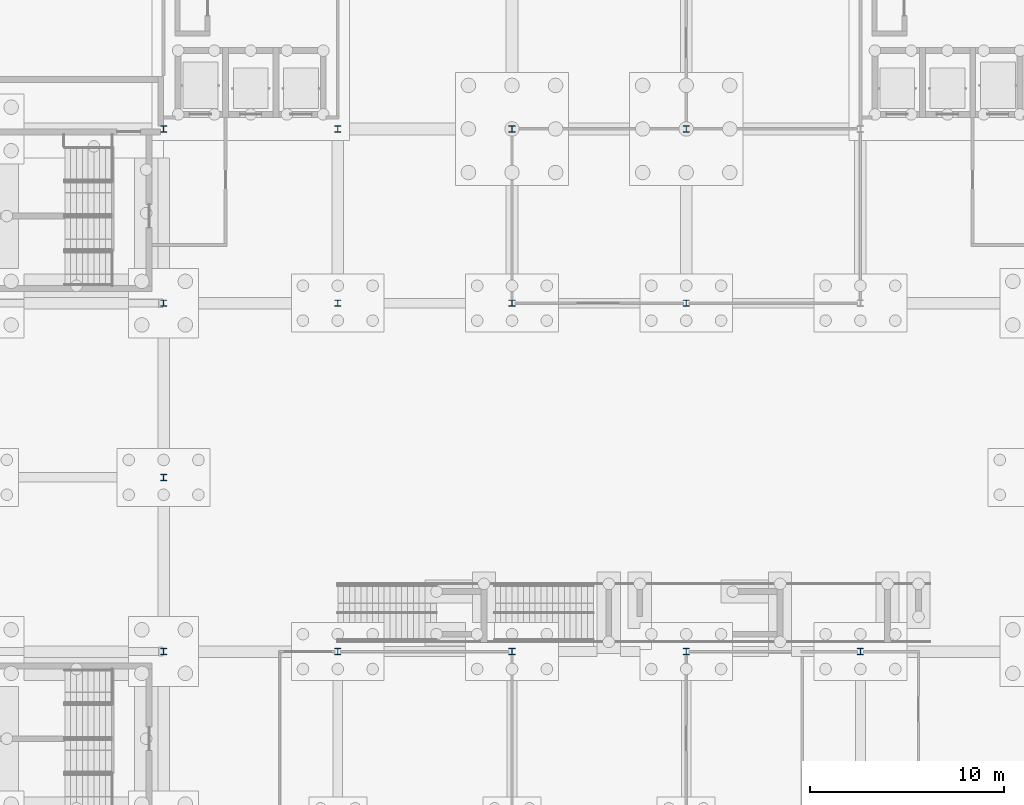
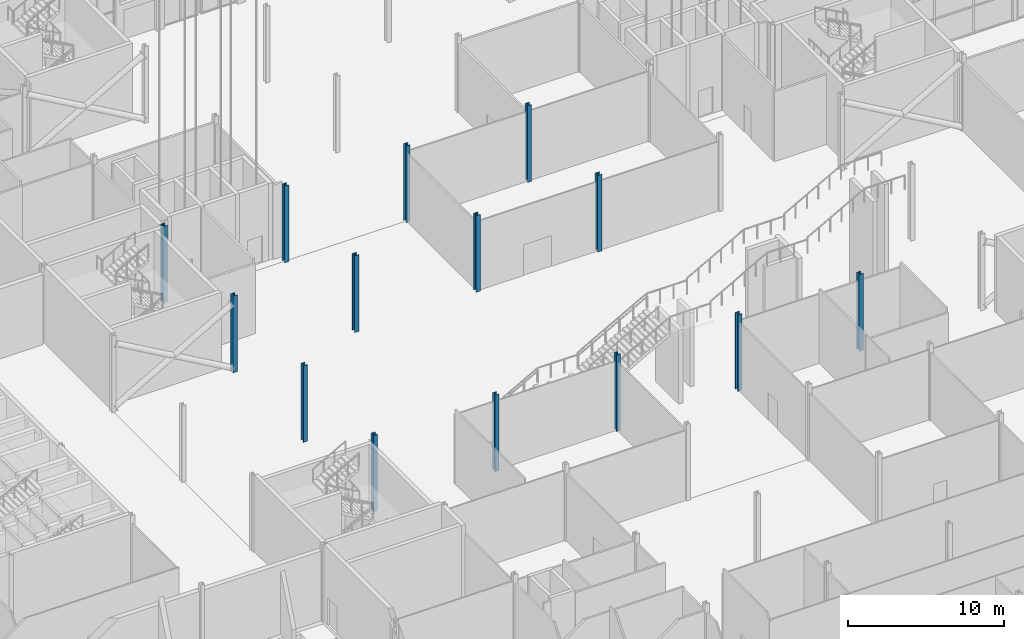
# One storey, part 27 of 139: 14 columns.
"""IFC4 building model written with IfcOpenShell, lengths in metres."""

from ifc_helpers import new_model, si_unit, direction, frame, origin, origin_2d, place, context, subcontext, project, spatial, i_section, extrude, material, material_profile, profile_set, type_object, element, save


model = new_model("IFC4")

# Units and contexts
model_context = context("Model", 3, precision=1e-05, world=origin(), true_north=direction((0.0, 1.0)))
body_context = subcontext(model_context, "Body", "Model", "MODEL_VIEW")
ifc_project = project(units=[si_unit("LENGTHUNIT", "METRE"), si_unit("AREAUNIT", "SQUARE_METRE"), si_unit("VOLUMEUNIT", "CUBIC_METRE"), si_unit("PLANEANGLEUNIT", "RADIAN"), si_unit("MASSUNIT", "GRAM", prefix="KILO")], contexts=[model_context])

# Site, building, storey
site_placement = place(None, origin())
site = spatial("IfcSite", under=ifc_project, at=site_placement, CompositionType="ELEMENT")
building_placement = place(site_placement, origin())
building = spatial("IfcBuilding", under=site, at=building_placement, Name="Shorebreak Coast Museum", CompositionType="ELEMENT")
storey_placement = place(building_placement, origin())
storey = spatial("IfcBuildingStorey", under=building, at=storey_placement, Name="L00", CompositionType="ELEMENT", Elevation=0.0)

# Columns
ifc_material = material(Name="Steel Grade 300", Category="steel")
ifc_material_profile = material_profile(ifc_material, i_section(OverallWidth=0.31103515625, OverallDepth=0.3271484375, WebThickness=0.015625, FlangeThickness=0.02490234375, FilletRadius=0.0166015625, at=origin_2d()), Name="310UC158")
ifc_profile_set = profile_set([ifc_material_profile], Name="Steel Grade 300")
column_type = type_object("IfcColumnType", Name="Column 310UC158", PredefinedType="COLUMN", material=ifc_profile_set)
for number, where, z_axis, x_axis, name in (
    (1, (63.0, 63.0, 0.0), (0.0, 0.0, 1.0), (1.0, 0.0, 0.0), "Column L00 8H"),
    (2, (72.0, 63.0, 0.0), (0.0, 0.0, 1.0), (1.0, 0.0, 0.0), "Column L00 9H"),
    (3, (81.0, 63.0, 0.0), (0.0, 0.0, 1.0), (1.0, 0.0, 0.0), "Column L00 10H"),
    (4, (90.0, 63.0, 0.0), (0.0, 0.0, 1.0), (1.0, 0.0, 0.0), "Column L00 11H"),
    (5, (99.0, 63.0, 0.0), (0.0, 0.0, 1.0), (1.0, 0.0, 0.0), "Column L00 12H"),
    (6, (63.0, 72.0, 0.0), (0.0, 0.0, 1.0), (1.0, 0.0, 0.0), "Column L00 8J"),
    (7, (63.0, 81.0, 0.0), (0.0, 0.0, 1.0), (1.0, 0.0, 0.0), "Column L00 8K"),
    (8, (72.0, 81.0, 0.0), (0.0, 0.0, 1.0), (1.0, 0.0, 0.0), "Column L00 9K"),
    (9, (81.0, 81.0, 0.0), (0.0, 0.0, 1.0), (1.0, 0.0, 0.0), "Column L00 10K"),
    (10, (90.0, 81.0, 0.0), (0.0, 0.0, 1.0), (1.0, 0.0, 0.0), "Column L00 11K"),
    (11, (63.0, 90.0, 0.0), (0.0, 0.0, 1.0), (1.0, 0.0, 0.0), "Column L00 8L"),
    (12, (72.0, 90.0, 0.0), (0.0, 0.0, 1.0), (1.0, 0.0, 0.0), "Column L00 9L"),
    (13, (81.0, 90.0, 0.0), (0.0, 0.0, 1.0), (1.0, 0.0, 0.0), "Column L00 10L"),
    (14, (90.0, 90.0, 0.0), (0.0, 0.0, 1.0), (1.0, 0.0, 0.0), "Column L00 11L"),
):
    element("IfcColumn", number, at=place(storey_placement, frame(where, z_axis=z_axis, x_axis=x_axis)), inside=storey, type_object=column_type, Name=name, PredefinedType="COLUMN", context=body_context, shape_type="SweptSolid", body=[
        extrude(i_section(OverallWidth=0.31103515625, OverallDepth=0.3271484375, WebThickness=0.015625, FlangeThickness=0.02490234375, FilletRadius=0.0166015625, at=origin_2d()), origin(), (0.0, 0.0, 1.0), 6.0),
    ])

save(model, "model.ifc")
